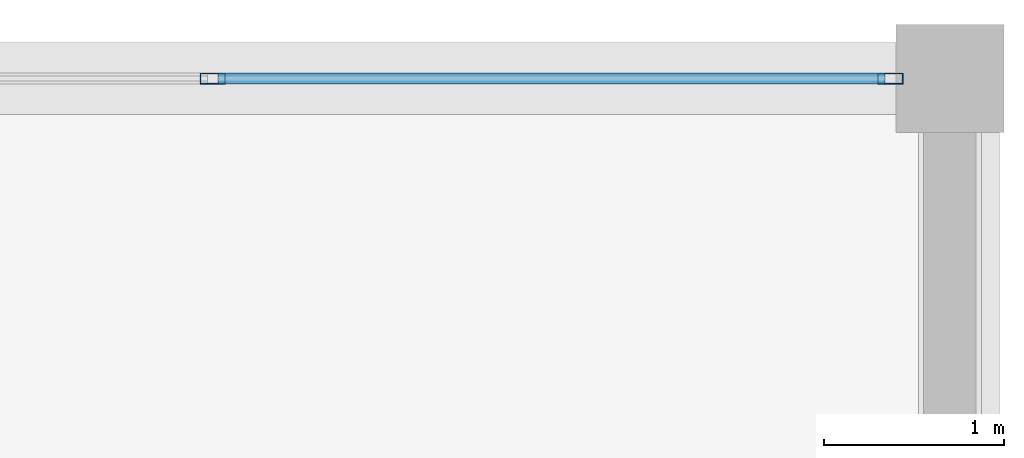
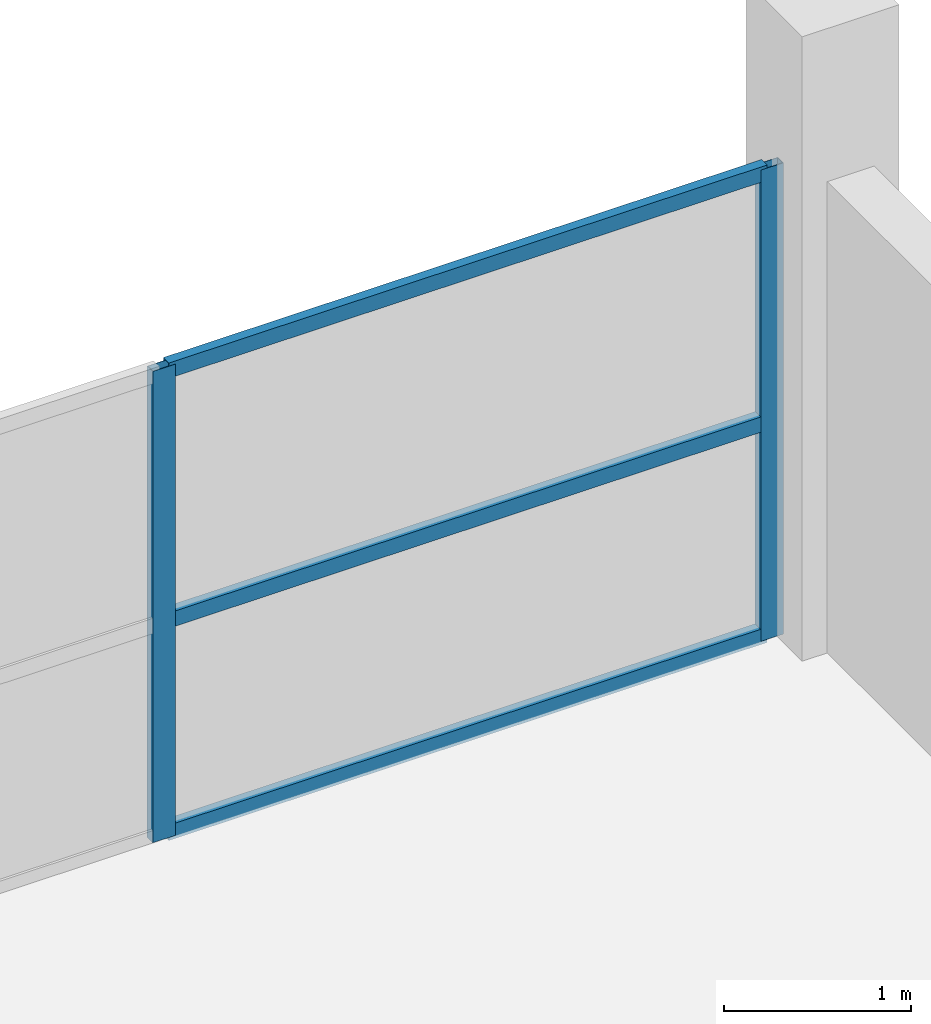
# One storey, part 51 of 70: 5 members, 1 element without a shape of its own.
"""IFC4 building model written with IfcOpenShell, lengths in metres."""

from ifc_helpers import new_model, si_unit, direction, frame, origin, origin_2d, place, context, subcontext, project, spatial, hollow_rectangle, extrude, material, layer, layer_set, material_profile, profile_set, type_object, element, aggregate, save


model = new_model("IFC4")

# Units and contexts
model_context = context("Model", 3, precision=1e-05, world=origin(), true_north=direction((0.0, 1.0)))
body_context = subcontext(model_context, "Body", "Model", "MODEL_VIEW")
ifc_project = project(units=[si_unit("LENGTHUNIT", "METRE"), si_unit("AREAUNIT", "SQUARE_METRE"), si_unit("VOLUMEUNIT", "CUBIC_METRE"), si_unit("PLANEANGLEUNIT", "RADIAN"), si_unit("MASSUNIT", "GRAM", prefix="KILO")], contexts=[model_context])

# Site, building, storey
site_placement = place(None, origin())
site = spatial("IfcSite", under=ifc_project, at=site_placement, CompositionType="ELEMENT")
building_placement = place(site_placement, origin())
building = spatial("IfcBuilding", under=site, at=building_placement, Name="Sillaruma Civic Art Gallery", CompositionType="ELEMENT")
storey_placement = place(building_placement, frame((0.0, 0.0, 66.300048828125)))
storey = spatial("IfcBuildingStorey", under=building, at=storey_placement, Name="L13", CompositionType="ELEMENT", Elevation=66.300048828125)

# Curtain wall, members
ifc_material = material(Name="Thermally Broken Extruded Aluminium 6063-T6", Category="aluminium")
ifc_layer = layer(ifc_material, 0.139892578125, Name="Thermally Broken Extruded Aluminium 6063-T6")
ifc_layer_set = layer_set([ifc_layer], Name="Thermally Broken Extruded Aluminium 6063-T6")
curtain_wall_type = type_object("IfcCurtainWallType", Name="CW-UNI-107", PredefinedType="NOTDEFINED", material=ifc_layer_set)
curtain_wall_placement = place(storey_placement, origin())
curtain_wall = element("IfcCurtainWall", 1, at=curtain_wall_placement, inside=storey, type_object=curtain_wall_type, Name="Unitised Curtain Wall CW-107 (CW-L13-EBN-2)", PredefinedType="NOTDEFINED")
ifc_material_profile_1 = material_profile(ifc_material, hollow_rectangle(XDim=0.06005859375, YDim=0.139892578125, WallThickness=0.00341796875, at=origin_2d()), Name="CWM60x140")
ifc_profile_set_1 = profile_set([ifc_material_profile_1], Name="Thermally Broken Extruded Aluminium 6063-T6")
member_type_1 = type_object("IfcMemberType", Name="MEM-MUL-CWM60x140", PredefinedType="MULLION", material=ifc_profile_set_1)
member_1_placement = place(storey_placement, frame((110.3125, 99.0, 0.0), z_axis=(0.0, 0.0, 1.0), x_axis=(0.0, 1.0, 0.0)))
member_1 = element("IfcMember", 2, at=member_1_placement, type_object=member_type_1, Name="CW-107 mullion 2", PredefinedType="MULLION", context=body_context, shape_type="SweptSolid", body=[
    extrude(hollow_rectangle(XDim=0.06005859375, YDim=0.139892578125, WallThickness=0.00341796875, at=origin_2d()), origin(), (0.0, 0.0, 1.0), 3.079833984375),
])
member_2_placement = place(storey_placement, frame((114.070068359375, 99.0, 0.0), z_axis=(0.0, 0.0, 1.0), x_axis=(0.0, 1.0, 0.0)))
member_2 = element("IfcMember", 3, at=member_2_placement, type_object=member_type_1, Name="CW-107 mullion 3", PredefinedType="MULLION", context=body_context, shape_type="SweptSolid", body=[
    extrude(hollow_rectangle(XDim=0.06005859375, YDim=0.139892578125, WallThickness=0.00341796875, at=origin_2d()), origin(), (0.0, 0.0, 1.0), 3.079833984375),
])
ifc_material_profile_2 = material_profile(ifc_material, hollow_rectangle(XDim=0.06005859375, YDim=0.10009765625, WallThickness=0.003173828125, at=origin_2d()), Name="CWT60x100")
ifc_profile_set_2 = profile_set([ifc_material_profile_2], Name="Thermally Broken Extruded Aluminium 6063-T6")
member_type_2 = type_object("IfcMemberType", Name="MEM-TRN-CWT60x100", PredefinedType="USERDEFINED", material=ifc_profile_set_2)
member_3_placement = place(storey_placement, frame((110.342529296875, 99.0, 0.030029296875), z_axis=(1.0, 0.0, 0.0), x_axis=(0.0, 1.0, 0.0)))
member_3 = element("IfcMember", 4, at=member_3_placement, type_object=member_type_2, Name="CW-107 transom 2.1", ObjectType="TRANSOM", PredefinedType="USERDEFINED", context=body_context, shape_type="SweptSolid", body=[
    extrude(hollow_rectangle(XDim=0.06005859375, YDim=0.10009765625, WallThickness=0.003173828125, at=origin_2d()), origin(), (0.0, 0.0, 1.0), 3.697509765625),
])
member_4_placement = place(storey_placement, frame((110.342529296875, 99.0, 1.416748046875), z_axis=(1.0, 0.0, 0.0), x_axis=(0.0, 1.0, 0.0)))
member_4 = element("IfcMember", 5, at=member_4_placement, type_object=member_type_2, Name="CW-107 transom 2.2", ObjectType="TRANSOM", PredefinedType="USERDEFINED", context=body_context, shape_type="SweptSolid", body=[
    extrude(hollow_rectangle(XDim=0.06005859375, YDim=0.10009765625, WallThickness=0.003173828125, at=origin_2d()), origin(), (0.0, 0.0, 1.0), 3.697509765625),
])
member_5_placement = place(storey_placement, frame((110.342529296875, 99.0, 3.050048828125), z_axis=(1.0, 0.0, 0.0), x_axis=(0.0, 1.0, 0.0)))
member_5 = element("IfcMember", 6, at=member_5_placement, type_object=member_type_2, Name="CW-107 transom 2.3", ObjectType="TRANSOM", PredefinedType="USERDEFINED", context=body_context, shape_type="SweptSolid", body=[
    extrude(hollow_rectangle(XDim=0.06005859375, YDim=0.10009765625, WallThickness=0.003173828125, at=origin_2d()), origin(), (0.0, 0.0, 1.0), 3.697509765625),
])
aggregate(curtain_wall, [member_1, member_2, member_3, member_4, member_5])

save(model, "model.ifc")
